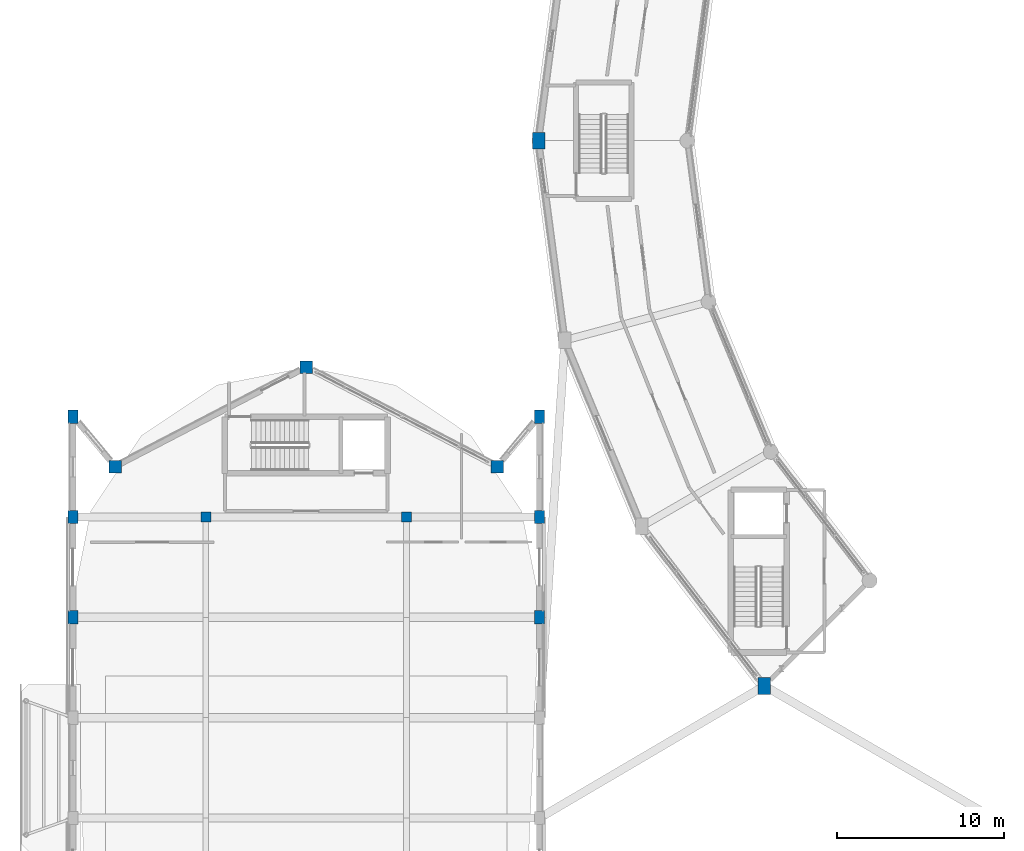
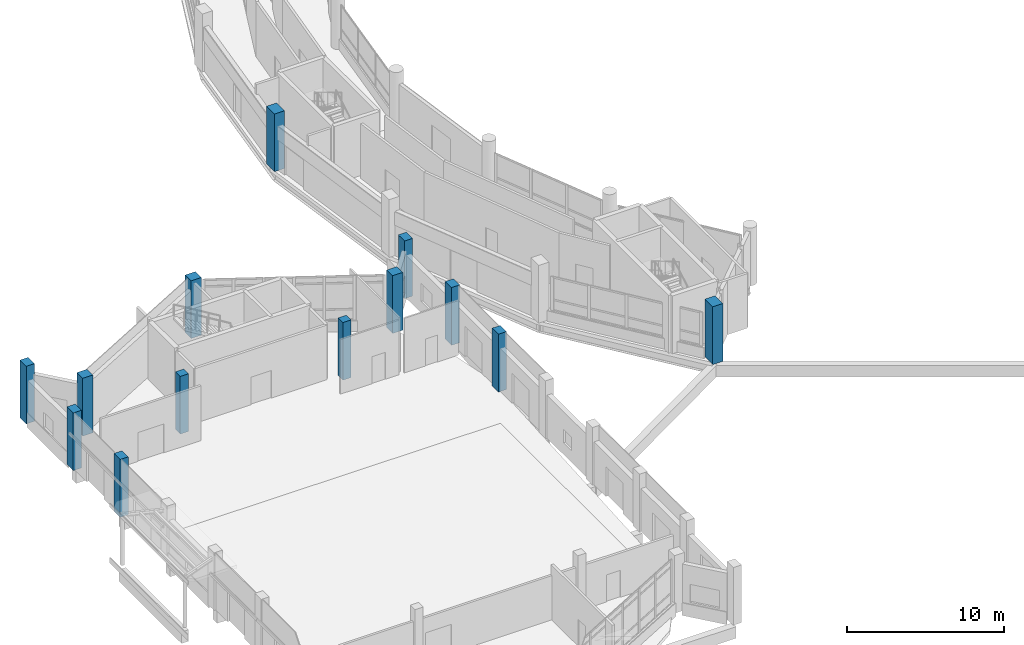
# One storey, part 3 of 129: 13 columns.
"""IFC4 building model written with IfcOpenShell, lengths in metres."""

from ifc_helpers import new_model, si_unit, direction, frame, origin, origin_2d, place, context, subcontext, project, spatial, rectangle, extrude, material, material_profile, profile_set, type_object, element, save


model = new_model("IFC4")

# Units and contexts
model_context = context("Model", 3, precision=1e-05, world=origin(), true_north=direction((0.0, 1.0)))
body_context = subcontext(model_context, "Body", "Model", "MODEL_VIEW")
ifc_project = project(units=[si_unit("LENGTHUNIT", "METRE"), si_unit("AREAUNIT", "SQUARE_METRE"), si_unit("VOLUMEUNIT", "CUBIC_METRE"), si_unit("PLANEANGLEUNIT", "RADIAN"), si_unit("MASSUNIT", "GRAM", prefix="KILO")], contexts=[model_context])

# Site, building, storey
site_placement = place(None, origin())
site = spatial("IfcSite", under=ifc_project, at=site_placement, CompositionType="ELEMENT")
building_placement = place(site_placement, origin())
building = spatial("IfcBuilding", under=site, at=building_placement, Name="Vespera Passage Community Centre", CompositionType="ELEMENT")
storey_placement = place(building_placement, origin())
storey = spatial("IfcBuildingStorey", under=building, at=storey_placement, Name="L00", CompositionType="ELEMENT", Elevation=0.0)

# Columns
ifc_material_1 = material(Name="Concrete f'c 45 MPa", Category="concrete")
ifc_material_profile_1 = material_profile(ifc_material_1, rectangle(XDim=0.75, YDim=1.0, at=origin_2d()), Name="RC1000X750")
ifc_profile_set_1 = profile_set([ifc_material_profile_1], Name="Concrete f'c 45 MPa")
column_type_1 = type_object("IfcColumnType", Name="COL-RC1000X750E", PredefinedType="COLUMN", material=ifc_profile_set_1)
for number, where, z_axis, x_axis, name in (
    (1, (31.89990234375, 65.5, 0.0), (0.0, 0.0, 1.0), (1.0, 0.0, 0.0), "L00 Column V4-O12"),
    (2, (45.40234375, 32.90234375, 0.0), (0.0, 0.0, 1.0), (1.0, 0.0, 0.0), "L00 Column V4-O15"),
):
    element("IfcColumn", number, at=place(storey_placement, frame(where, z_axis=z_axis, x_axis=x_axis)), inside=storey, type_object=column_type_1, Name=name, PredefinedType="COLUMN", context=body_context, shape_type="SweptSolid", body=[
        extrude(rectangle(XDim=0.75, YDim=1.0, at=origin_2d()), origin(), (0.0, 0.0, 1.0), 4.5),
    ])
ifc_material_2 = material(Name="Concrete f'c 45 MPa", Category="concrete")
ifc_material_profile_2 = material_profile(ifc_material_2, rectangle(XDim=0.60009765625, YDim=0.60009765625, at=origin_2d()), Name="RC600X600")
ifc_profile_set_2 = profile_set([ifc_material_profile_2], Name="Concrete f'c 45 MPa")
column_type_2 = type_object("IfcColumnType", Name="COL-RC600I", PredefinedType="COLUMN", material=ifc_profile_set_2)
for number, where, z_axis, x_axis, name in (
    (3, (12.0, 43.0, 0.0), (0.0, 0.0, 1.0), (1.0, 0.0, 0.0), "L00 Column V1-B1-16"),
    (4, (24.0, 43.0, 0.0), (0.0, 0.0, 1.0), (1.0, 0.0, 0.0), "L00 Column V1-B1-26"),
):
    element("IfcColumn", number, at=place(storey_placement, frame(where, z_axis=z_axis, x_axis=x_axis)), inside=storey, type_object=column_type_2, Name=name, PredefinedType="COLUMN", context=body_context, shape_type="SweptSolid", body=[
        extrude(rectangle(XDim=0.60009765625, YDim=0.60009765625, at=origin_2d()), origin(), (0.0, 0.0, 1.0), 4.5),
    ])
ifc_material_3 = material(Name="Concrete f'c 45 MPa", Category="concrete")
ifc_material_profile_3 = material_profile(ifc_material_3, rectangle(XDim=0.75, YDim=0.75, at=origin_2d()), Name="RC750X750")
ifc_profile_set_3 = profile_set([ifc_material_profile_3], Name="Concrete f'c 45 MPa")
column_type_3 = type_object("IfcColumnType", Name="COL-RC750E", PredefinedType="COLUMN", material=ifc_profile_set_3)
for number, where, z_axis, x_axis, name in (
    (5, (29.42724609375, 46.00146484375, 0.0), (0.0, 0.0, 1.0), (1.0, 0.0, 0.0), "L00 Column V1-AN1"),
    (6, (18.0, 51.949951171875, 0.0), (0.0, 0.0, 1.0), (1.0, 0.0, 0.0), "L00 Column V1-AN2"),
    (7, (6.57275390625, 46.00146484375, 0.0), (0.0, 0.0, 1.0), (1.0, 0.0, 0.0), "L00 Column V1-AN3"),
):
    element("IfcColumn", number, at=place(storey_placement, frame(where, z_axis=z_axis, x_axis=x_axis)), inside=storey, type_object=column_type_3, Name=name, PredefinedType="COLUMN", context=body_context, shape_type="SweptSolid", body=[
        extrude(rectangle(XDim=0.75, YDim=0.75, at=origin_2d()), origin(), (0.0, 0.0, 1.0), 4.5),
    ])
ifc_material_4 = material(Name="Concrete f'c 45 MPa", Category="concrete")
ifc_material_profile_4 = material_profile(ifc_material_4, rectangle(XDim=0.60009765625, YDim=0.800048828125, at=origin_2d()), Name="RC800X600")
ifc_profile_set_4 = profile_set([ifc_material_profile_4], Name="Concrete f'c 45 MPa")
column_type_4 = type_object("IfcColumnType", Name="COL-RC800X600E", PredefinedType="COLUMN", material=ifc_profile_set_4)
for number, where, z_axis, x_axis, name in (
    (8, (31.949951171875, 37.0, 0.0), (0.0, 0.0, 1.0), (1.0, 0.0, 0.0), "L00 Column V1-E6"),
    (9, (31.949951171875, 43.0, 0.0), (0.0, 0.0, 1.0), (1.0, 0.0, 0.0), "L00 Column V1-E7"),
    (10, (31.949951171875, 49.0, 0.0), (0.0, 0.0, 1.0), (1.0, 0.0, 0.0), "L00 Column V1-E8"),
    (11, (4.050048828125, 37.0, 0.0), (0.0, 0.0, 1.0), (1.0, 0.0, 0.0), "L00 Column V1-W6"),
    (12, (4.050048828125, 43.0, 0.0), (0.0, 0.0, 1.0), (1.0, 0.0, 0.0), "L00 Column V1-W7"),
    (13, (4.050048828125, 49.0, 0.0), (0.0, 0.0, 1.0), (1.0, 0.0, 0.0), "L00 Column V1-W8"),
):
    element("IfcColumn", number, at=place(storey_placement, frame(where, z_axis=z_axis, x_axis=x_axis)), inside=storey, type_object=column_type_4, Name=name, PredefinedType="COLUMN", context=body_context, shape_type="SweptSolid", body=[
        extrude(rectangle(XDim=0.60009765625, YDim=0.800048828125, at=origin_2d()), origin(), (0.0, 0.0, 1.0), 4.5),
    ])

save(model, "model.ifc")
